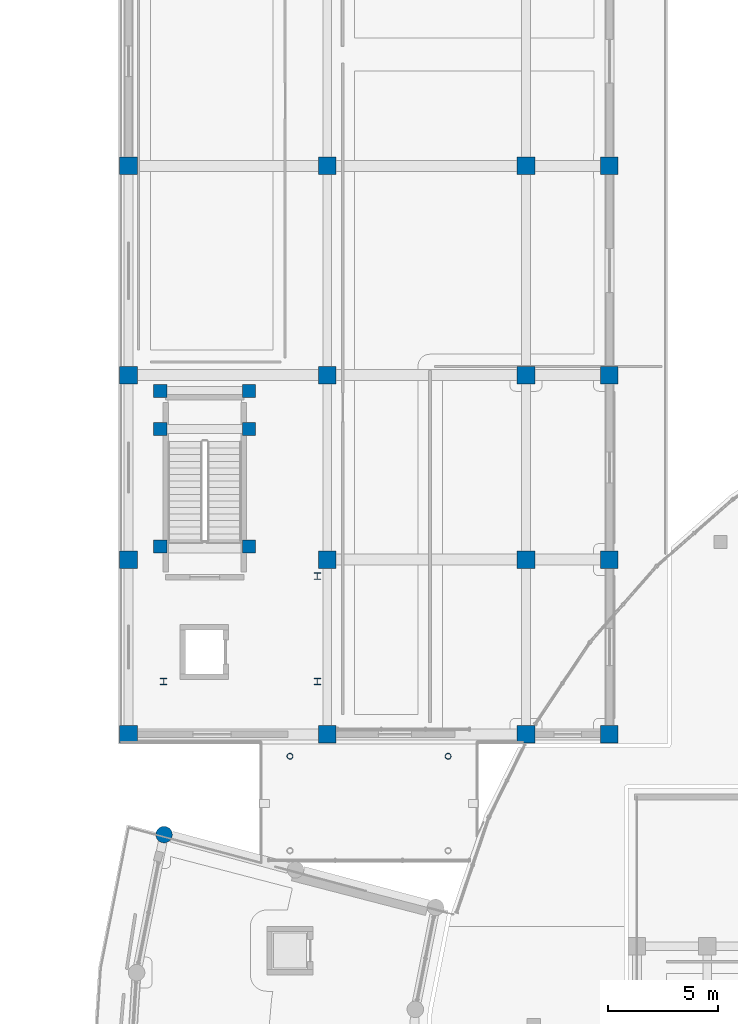
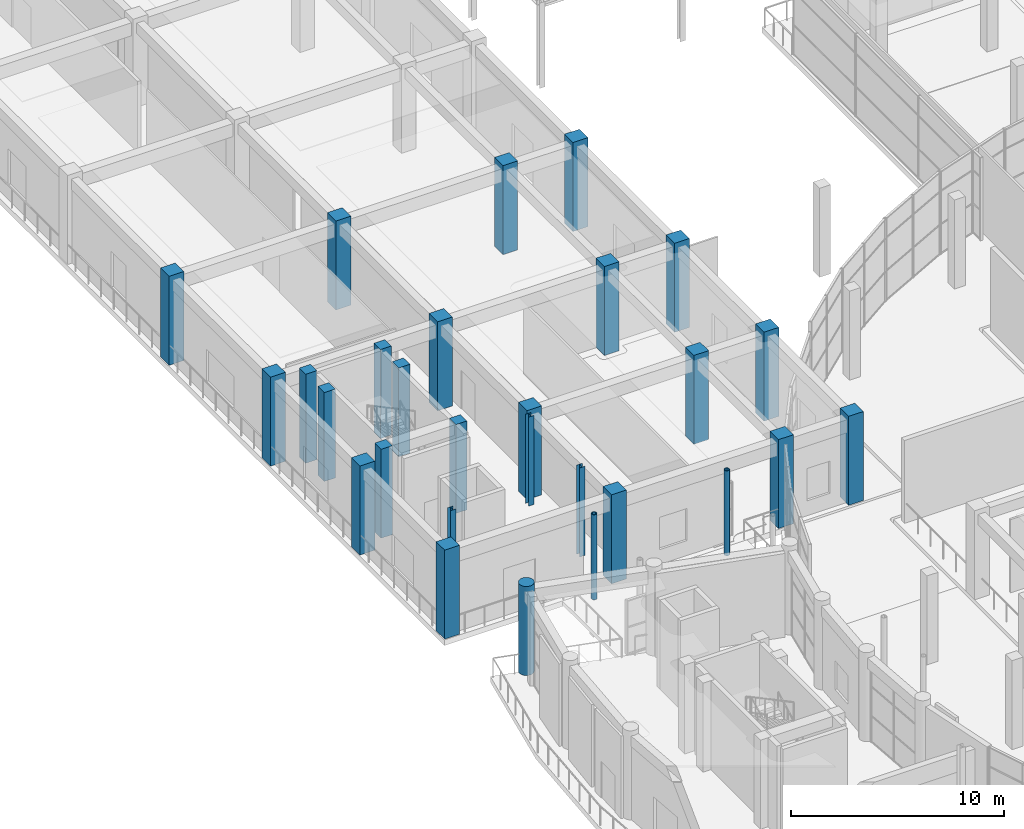
# One storey, part 10 of 99: 28 columns.
"""IFC4 building model written with IfcOpenShell, lengths in metres."""

from ifc_helpers import new_model, si_unit, direction, frame, origin, origin_2d, place, context, subcontext, project, spatial, rectangle, circle, hollow_circle, i_section, extrude, material, material_profile, profile_set, type_object, element, save


model = new_model("IFC4")

# Units and contexts
model_context = context("Model", 3, precision=1e-05, world=origin(), true_north=direction((0.0, 1.0)))
body_context = subcontext(model_context, "Body", "Model", "MODEL_VIEW")
ifc_project = project(units=[si_unit("LENGTHUNIT", "METRE"), si_unit("AREAUNIT", "SQUARE_METRE"), si_unit("VOLUMEUNIT", "CUBIC_METRE"), si_unit("PLANEANGLEUNIT", "RADIAN"), si_unit("MASSUNIT", "GRAM", prefix="KILO")], contexts=[model_context])

# Site, building, storey
site_placement = place(None, origin())
site = spatial("IfcSite", under=ifc_project, at=site_placement, CompositionType="ELEMENT")
building_placement = place(site_placement, origin())
building = spatial("IfcBuilding", under=site, at=building_placement, Name="Saryqyr Civic Hall", CompositionType="ELEMENT")
storey_placement = place(building_placement, origin())
storey = spatial("IfcBuildingStorey", under=building, at=storey_placement, Name="L00", CompositionType="ELEMENT", Elevation=0.0)

# Columns
ifc_material_1 = material(Name="Steel S355", Category="steel")
ifc_material_profile_1 = material_profile(ifc_material_1, hollow_circle(Radius=0.136474609375, WallThickness=0.01611328125, at=origin_2d()), Name="CHS 273x16")
ifc_profile_set_1 = profile_set([ifc_material_profile_1], Name="Steel S355")
column_type_1 = type_object("IfcColumnType", Name="STR-COL-CHS273-S355", PredefinedType="COLUMN", material=ifc_profile_set_1)
for number, where, z_axis, x_axis, name in (
    (1, (22.60009765625, 100.25, 0.0), (0.0, 0.0, 1.0), (1.0, 0.0, 0.0), "Column BRCOL-BR-NW-3-L00"),
    (2, (15.39990234375, 100.25, 0.0), (0.0, 0.0, 1.0), (1.0, 0.0, 0.0), "Column BRCOL-BR-NW-4-L00"),
):
    element("IfcColumn", number, at=place(storey_placement, frame(where, z_axis=z_axis, x_axis=x_axis)), inside=storey, type_object=column_type_1, Name=name, PredefinedType="COLUMN", context=body_context, shape_type="SweptSolid", body=[
        extrude(hollow_circle(Radius=0.136474609375, WallThickness=0.01611328125, at=origin_2d()), origin(), (0.0, 0.0, 1.0), 4.8701171875),
    ])
ifc_material_profile_2 = material_profile(ifc_material_1, i_section(OverallWidth=0.300048828125, OverallDepth=0.2900390625, WebThickness=0.008544921875, FlangeThickness=0.013916015625, at=origin_2d()), Name="HEA 300")
ifc_profile_set_2 = profile_set([ifc_material_profile_2], Name="Steel S355")
column_type_2 = type_object("IfcColumnType", Name="STR-COL-HEA300-S355", PredefinedType="COLUMN", material=ifc_profile_set_2)
for number, where, z_axis, x_axis, name in (
    (3, (9.64990234375, 103.64990234375, 0.0), (0.0, 0.0, 1.0), (1.0, 0.0, 0.0), "Column RGV3-COL-1-L00"),
    (4, (16.64990234375, 103.64990234375, 0.0), (0.0, 0.0, 1.0), (1.0, 0.0, 0.0), "Column RGV3-COL-2-L00"),
    (5, (16.64990234375, 108.449951171875, 0.0), (0.0, 0.0, 1.0), (1.0, 0.0, 0.0), "Column RGV3-COL-3-L00"),
):
    element("IfcColumn", number, at=place(storey_placement, frame(where, z_axis=z_axis, x_axis=x_axis)), inside=storey, type_object=column_type_2, Name=name, PredefinedType="COLUMN", context=body_context, shape_type="SweptSolid", body=[
        extrude(i_section(OverallWidth=0.300048828125, OverallDepth=0.2900390625, WebThickness=0.008544921875, FlangeThickness=0.013916015625, at=origin_2d()), origin(), (0.0, 0.0, 1.0), 5.10009765625),
    ])
ifc_material_2 = material(Name="Concrete C40/50", Category="concrete")
ifc_material_profile_3 = material_profile(ifc_material_2, rectangle(XDim=0.60009765625, YDim=0.60009765625, at=origin_2d()), Name="RC 600x600")
ifc_profile_set_3 = profile_set([ifc_material_profile_3], Name="Concrete C40/50")
column_type_3 = type_object("IfcColumnType", Name="STR-COL-RC600-C40", PredefinedType="COLUMN", material=ifc_profile_set_3)
for number, where, z_axis, x_axis, name in (
    (6, (13.5400390625, 109.794921875, 0.0), (0.0, 0.0, 1.0), (1.0, 0.0, 0.0), "Column ST-3-SCOL-TRMA-L00"),
    (7, (9.5, 109.794921875, 0.0), (0.0, 0.0, 1.0), (1.0, 0.0, 0.0), "Column ST-3-SCOL-TRMB-L00"),
    (8, (13.5400390625, 115.14990234375, 0.0), (0.0, 0.0, 1.0), (1.0, 0.0, 0.0), "Column ST-3-SCOL-LND1A-L00"),
    (9, (9.5, 115.14990234375, 0.0), (0.0, 0.0, 1.0), (1.0, 0.0, 0.0), "Column ST-3-SCOL-LND1B-L00"),
    (10, (13.5400390625, 116.8798828125, 0.0), (0.0, 0.0, 1.0), (1.0, 0.0, 0.0), "Column ST-3-SCOL-LND2A-L00"),
    (11, (9.5, 116.8798828125, 0.0), (0.0, 0.0, 1.0), (1.0, 0.0, 0.0), "Column ST-3-SCOL-LND2B-L00"),
):
    element("IfcColumn", number, at=place(storey_placement, frame(where, z_axis=z_axis, x_axis=x_axis)), inside=storey, type_object=column_type_3, Name=name, PredefinedType="COLUMN", context=body_context, shape_type="SweptSolid", body=[
        extrude(rectangle(XDim=0.60009765625, YDim=0.60009765625, at=origin_2d()), origin(), (0.0, 0.0, 1.0), 5.10009765625),
    ])
ifc_material_profile_4 = material_profile(ifc_material_2, rectangle(XDim=0.800048828125, YDim=0.800048828125, at=origin_2d()), Name="RC 800x800")
ifc_profile_set_4 = profile_set([ifc_material_profile_4], Name="Concrete C40/50")
column_type_4 = type_object("IfcColumnType", Name="STR-COL-RC800-C40", PredefinedType="COLUMN", material=ifc_profile_set_4)
for number, where, z_axis, x_axis, name in (
    (12, (8.050048828125, 101.25, 0.0), (0.0, 0.0, 1.0), (1.0, 0.0, 0.0), "Column V3-COL-11-L00"),
    (13, (8.050048828125, 109.199951171875, 0.0), (0.0, 0.0, 1.0), (1.0, 0.0, 0.0), "Column V3-COL-12-L00"),
    (14, (8.050048828125, 117.60009765625, 0.0), (0.0, 0.0, 1.0), (1.0, 0.0, 0.0), "Column V3-COL-13-L00"),
    (15, (8.050048828125, 127.1298828125, 0.0), (0.0, 0.0, 1.0), (1.0, 0.0, 0.0), "Column V3-COL-14-L00"),
    (16, (17.10009765625, 101.25, 0.0), (0.0, 0.0, 1.0), (1.0, 0.0, 0.0), "Column V3-COL-21-L00"),
    (17, (17.10009765625, 109.199951171875, 0.0), (0.0, 0.0, 1.0), (1.0, 0.0, 0.0), "Column V3-COL-22-L00"),
    (18, (17.10009765625, 117.60009765625, 0.0), (0.0, 0.0, 1.0), (1.0, 0.0, 0.0), "Column V3-COL-23-L00"),
    (19, (17.10009765625, 127.1298828125, 0.0), (0.0, 0.0, 1.0), (1.0, 0.0, 0.0), "Column V3-COL-24-L00"),
    (20, (26.14990234375, 101.25, 0.0), (0.0, 0.0, 1.0), (1.0, 0.0, 0.0), "Column V3-COL-31-L00"),
    (21, (26.14990234375, 109.199951171875, 0.0), (0.0, 0.0, 1.0), (1.0, 0.0, 0.0), "Column V3-COL-32-L00"),
    (22, (26.14990234375, 117.60009765625, 0.0), (0.0, 0.0, 1.0), (1.0, 0.0, 0.0), "Column V3-COL-33-L00"),
    (23, (26.14990234375, 127.1298828125, 0.0), (0.0, 0.0, 1.0), (1.0, 0.0, 0.0), "Column V3-COL-34-L00"),
    (24, (29.949951171875, 101.25, 0.0), (0.0, 0.0, 1.0), (1.0, 0.0, 0.0), "Column V3-COL-41-L00"),
    (25, (29.949951171875, 109.199951171875, 0.0), (0.0, 0.0, 1.0), (1.0, 0.0, 0.0), "Column V3-COL-42-L00"),
    (26, (29.949951171875, 117.60009765625, 0.0), (0.0, 0.0, 1.0), (1.0, 0.0, 0.0), "Column V3-COL-43-L00"),
    (27, (29.949951171875, 127.1298828125, 0.0), (0.0, 0.0, 1.0), (1.0, 0.0, 0.0), "Column V3-COL-44-L00"),
):
    element("IfcColumn", number, at=place(storey_placement, frame(where, z_axis=z_axis, x_axis=x_axis)), inside=storey, type_object=column_type_4, Name=name, PredefinedType="COLUMN", context=body_context, shape_type="SweptSolid", body=[
        extrude(rectangle(XDim=0.800048828125, YDim=0.800048828125, at=origin_2d()), origin(), (0.0, 0.0, 1.0), 5.10009765625),
    ])
ifc_material_profile_5 = material_profile(ifc_material_2, circle(Radius=0.375, at=origin_2d()), Name="RC D750")
ifc_profile_set_5 = profile_set([ifc_material_profile_5], Name="Concrete C40/50")
column_type_5 = type_object("IfcColumnType", Name="STR-COL-RCD750-EXT", PredefinedType="COLUMN", material=ifc_profile_set_5)
column_placement = place(storey_placement, frame((9.669677734375, 96.68212890625, 0.0), z_axis=(0.0, 0.0, 1.0), x_axis=(-0.965925826289, 0.258819045103, 0.0)))
element("IfcColumn", 28, at=column_placement, inside=storey, type_object=column_type_5, Name="Column V4-COL-OUT00-L00", PredefinedType="COLUMN", context=body_context, shape_type="SweptSolid", body=[
    extrude(circle(Radius=0.375, at=origin_2d()), origin(), (0.0, 0.0, 1.0), 5.10009765625),
])

save(model, "model.ifc")
